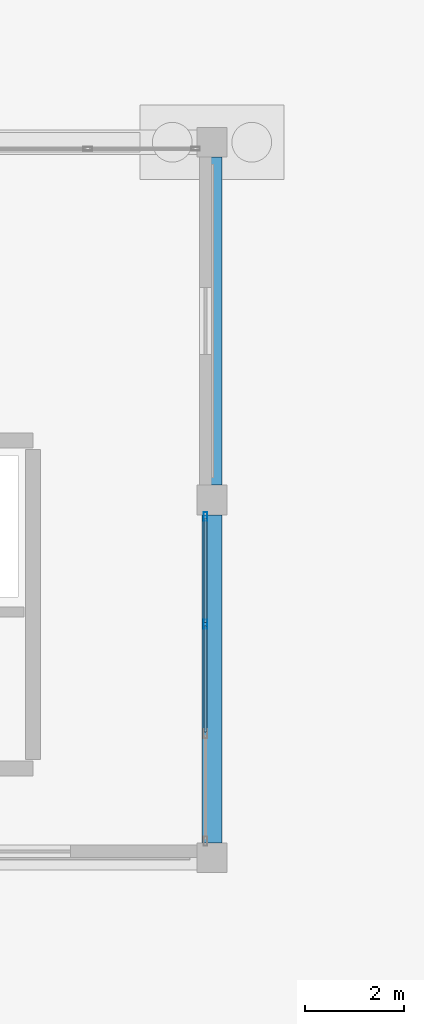
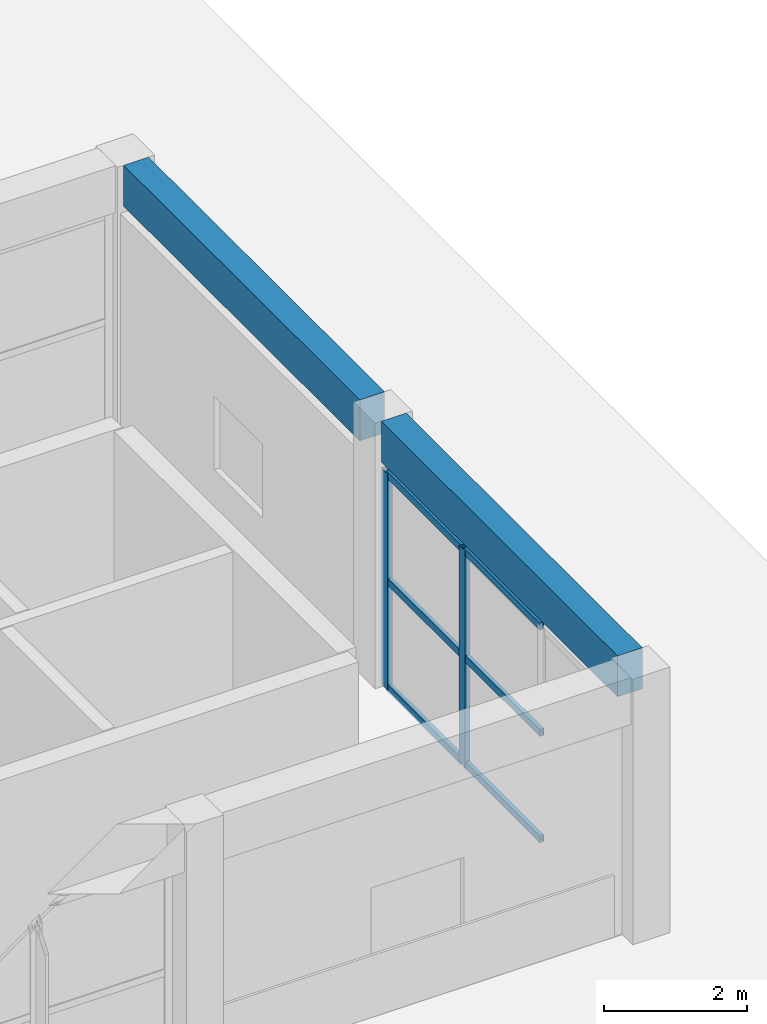
# One storey, part 95 of 155: 8 members, 2 beams, 1 element without a shape of its own.
"""IFC4 building model written with IfcOpenShell, lengths in metres."""

from ifc_helpers import new_model, si_unit, direction, frame, origin, origin_2d, place, context, subcontext, project, spatial, rectangle, hollow_rectangle, extrude, material, material_profile, profile_set, type_object, element, aggregate, save


model = new_model("IFC4")

# Units and contexts
model_context = context("Model", 3, precision=1e-05, world=origin(), true_north=direction((0.0, 1.0)))
body_context = subcontext(model_context, "Body", "Model", "MODEL_VIEW")
ifc_project = project(units=[si_unit("LENGTHUNIT", "METRE"), si_unit("AREAUNIT", "SQUARE_METRE"), si_unit("VOLUMEUNIT", "CUBIC_METRE"), si_unit("PLANEANGLEUNIT", "RADIAN"), si_unit("MASSUNIT", "GRAM", prefix="KILO")], contexts=[model_context])

# Site, building, storey
site_placement = place(None, origin())
site = spatial("IfcSite", under=ifc_project, at=site_placement, CompositionType="ELEMENT")
building_placement = place(site_placement, origin())
building = spatial("IfcBuilding", under=site, at=building_placement, Name="Bramvelor Terrace Health Centre", CompositionType="ELEMENT")
storey_placement = place(building_placement, origin())
storey = spatial("IfcBuildingStorey", under=building, at=storey_placement, Name="L01", CompositionType="ELEMENT", Elevation=0.0)

# Beams
ifc_material_1 = material(Name="Concrete C40/50", Category="concrete")
ifc_material_profile_1 = material_profile(ifc_material_1, rectangle(XDim=0.39990234375, YDim=0.699951171875, at=origin_2d()), Name="RC 400x700")
ifc_profile_set_1 = profile_set([ifc_material_profile_1], Name="Concrete C40/50")
beam_type = type_object("IfcBeamType", Name="BM-RC-G700", PredefinedType="BEAM", material=ifc_profile_set_1)
for number, where, z_axis, x_axis, name in (
    (1, (93.60009765625, 86.699951171875, 4.179931640625), (0.0, 1.0, 0.0), (-1.0, 0.0, 0.0), "L01 Floor Girder"),
    (2, (93.60009765625, 93.89990234375, 4.179931640625), (0.0, 1.0, 0.0), (-1.0, 0.0, 0.0), "L01 Floor Girder"),
):
    element("IfcBeam", number, at=place(storey_placement, frame(where, z_axis=z_axis, x_axis=x_axis)), inside=storey, type_object=beam_type, Name=name, PredefinedType="BEAM", context=body_context, shape_type="SweptSolid", body=[
        extrude(rectangle(XDim=0.39990234375, YDim=0.699951171875, at=origin_2d()), origin(), (0.0, 0.0, 1.0), 6.60009765625),
    ])

# Curtain wall, members
ifc_material_2 = material(Name="Anodized aluminium and double low-E glass", Category="aluminium")
curtain_wall_type = type_object("IfcCurtainWallType", Name="CW-SYS-02", PredefinedType="NOTDEFINED", material=ifc_material_2)
curtain_wall_placement = place(storey_placement, origin())
curtain_wall = element("IfcCurtainWall", 3, at=curtain_wall_placement, inside=storey, type_object=curtain_wall_type, Name="L01 Unitized Curtain Wall 25", PredefinedType="NOTDEFINED")
ifc_material_3 = material(Name="Anodized aluminium 6063-T6", Category="aluminium")
ifc_material_profile_2 = material_profile(ifc_material_3, hollow_rectangle(XDim=0.074951171875, YDim=0.179931640625, WallThickness=0.00341796875, at=origin_2d()), Name="ALU-MUL 75x180x3.5")
ifc_profile_set_2 = profile_set([ifc_material_profile_2], Name="Anodized aluminium 6063-T6")
member_type_1 = type_object("IfcMemberType", Name="CW-MUL-65x180", PredefinedType="MULLION", material=ifc_profile_set_2)
member_1_placement = place(storey_placement, frame((93.469970703125, 93.267578125, 0.0), z_axis=(0.0, 0.0, 1.0), x_axis=(1.0, 0.0, 0.0)))
member_1 = element("IfcMember", 4, at=member_1_placement, type_object=member_type_1, Name="CW-02 mullion 1", PredefinedType="MULLION", context=body_context, shape_type="SweptSolid", body=[
    extrude(hollow_rectangle(XDim=0.074951171875, YDim=0.179931640625, WallThickness=0.00341796875, at=origin_2d()), origin(), (0.0, 0.0, 1.0), 3.68994140625),
])
member_2_placement = place(storey_placement, frame((93.469970703125, 91.1015625, 0.0), z_axis=(0.0, 0.0, 1.0), x_axis=(1.0, 0.0, 0.0)))
member_2 = element("IfcMember", 5, at=member_2_placement, type_object=member_type_1, Name="CW-02 mullion 2", PredefinedType="MULLION", context=body_context, shape_type="SweptSolid", body=[
    extrude(hollow_rectangle(XDim=0.074951171875, YDim=0.179931640625, WallThickness=0.00341796875, at=origin_2d()), origin(), (0.0, 0.0, 1.0), 3.68994140625),
])
ifc_material_4 = material(Name="Anodized aluminium 6063-T6", Category="aluminium")
ifc_material_profile_3 = material_profile(ifc_material_4, hollow_rectangle(XDim=0.06494140625, YDim=0.1201171875, WallThickness=0.0029296875, at=origin_2d()), Name="ALU-TRN 65x120x3.0")
ifc_profile_set_3 = profile_set([ifc_material_profile_3], Name="Anodized aluminium 6063-T6")
member_type_2 = type_object("IfcMemberType", Name="CW-TRN-65x150", PredefinedType="USERDEFINED", material=ifc_profile_set_3)
member_3_placement = place(storey_placement, frame((93.469970703125, 93.22998046875, 0.032470703125), z_axis=(0.0, -1.0, 0.0), x_axis=(1.0, 0.0, 0.0)))
member_3 = element("IfcMember", 6, at=member_3_placement, type_object=member_type_2, Name="CW-02 transom 1.1", ObjectType="TRANSOM", PredefinedType="USERDEFINED", context=body_context, shape_type="SweptSolid", body=[
    extrude(hollow_rectangle(XDim=0.06494140625, YDim=0.1201171875, WallThickness=0.0029296875, at=origin_2d()), origin(), (0.0, 0.0, 1.0), 2.0908203125),
])
member_4_placement = place(storey_placement, frame((93.469970703125, 93.22998046875, 1.844970703125), z_axis=(0.0, -1.0, 0.0), x_axis=(1.0, 0.0, 0.0)))
member_4 = element("IfcMember", 7, at=member_4_placement, type_object=member_type_2, Name="CW-02 transom 1.2", ObjectType="TRANSOM", PredefinedType="USERDEFINED", context=body_context, shape_type="SweptSolid", body=[
    extrude(hollow_rectangle(XDim=0.06494140625, YDim=0.1201171875, WallThickness=0.0029296875, at=origin_2d()), origin(), (0.0, 0.0, 1.0), 2.0908203125),
])
member_5_placement = place(storey_placement, frame((93.469970703125, 93.22998046875, 3.657470703125), z_axis=(0.0, -1.0, 0.0), x_axis=(1.0, 0.0, 0.0)))
member_5 = element("IfcMember", 8, at=member_5_placement, type_object=member_type_2, Name="CW-02 transom 1.3", ObjectType="TRANSOM", PredefinedType="USERDEFINED", context=body_context, shape_type="SweptSolid", body=[
    extrude(hollow_rectangle(XDim=0.06494140625, YDim=0.1201171875, WallThickness=0.0029296875, at=origin_2d()), origin(), (0.0, 0.0, 1.0), 2.0908203125),
])
member_6_placement = place(storey_placement, frame((93.469970703125, 91.064208984375, 0.032470703125), z_axis=(0.0, -1.0, 0.0), x_axis=(1.0, 0.0, 0.0)))
member_6 = element("IfcMember", 9, at=member_6_placement, type_object=member_type_2, Name="CW-02 transom 2.1", ObjectType="TRANSOM", PredefinedType="USERDEFINED", context=body_context, shape_type="SweptSolid", body=[
    extrude(hollow_rectangle(XDim=0.06494140625, YDim=0.1201171875, WallThickness=0.0029296875, at=origin_2d()), origin(), (0.0, 0.0, 1.0), 2.12841796875),
])
member_7_placement = place(storey_placement, frame((93.469970703125, 91.064208984375, 1.844970703125), z_axis=(0.0, -1.0, 0.0), x_axis=(1.0, 0.0, 0.0)))
member_7 = element("IfcMember", 10, at=member_7_placement, type_object=member_type_2, Name="CW-02 transom 2.2", ObjectType="TRANSOM", PredefinedType="USERDEFINED", context=body_context, shape_type="SweptSolid", body=[
    extrude(hollow_rectangle(XDim=0.06494140625, YDim=0.1201171875, WallThickness=0.0029296875, at=origin_2d()), origin(), (0.0, 0.0, 1.0), 2.12841796875),
])
member_8_placement = place(storey_placement, frame((93.469970703125, 91.064208984375, 3.657470703125), z_axis=(0.0, -1.0, 0.0), x_axis=(1.0, 0.0, 0.0)))
member_8 = element("IfcMember", 11, at=member_8_placement, type_object=member_type_2, Name="CW-02 transom 2.3", ObjectType="TRANSOM", PredefinedType="USERDEFINED", context=body_context, shape_type="SweptSolid", body=[
    extrude(hollow_rectangle(XDim=0.06494140625, YDim=0.1201171875, WallThickness=0.0029296875, at=origin_2d()), origin(), (0.0, 0.0, 1.0), 2.12841796875),
])
aggregate(curtain_wall, [member_1, member_2, member_3, member_4, member_5, member_6, member_7, member_8])

save(model, "model.ifc")
